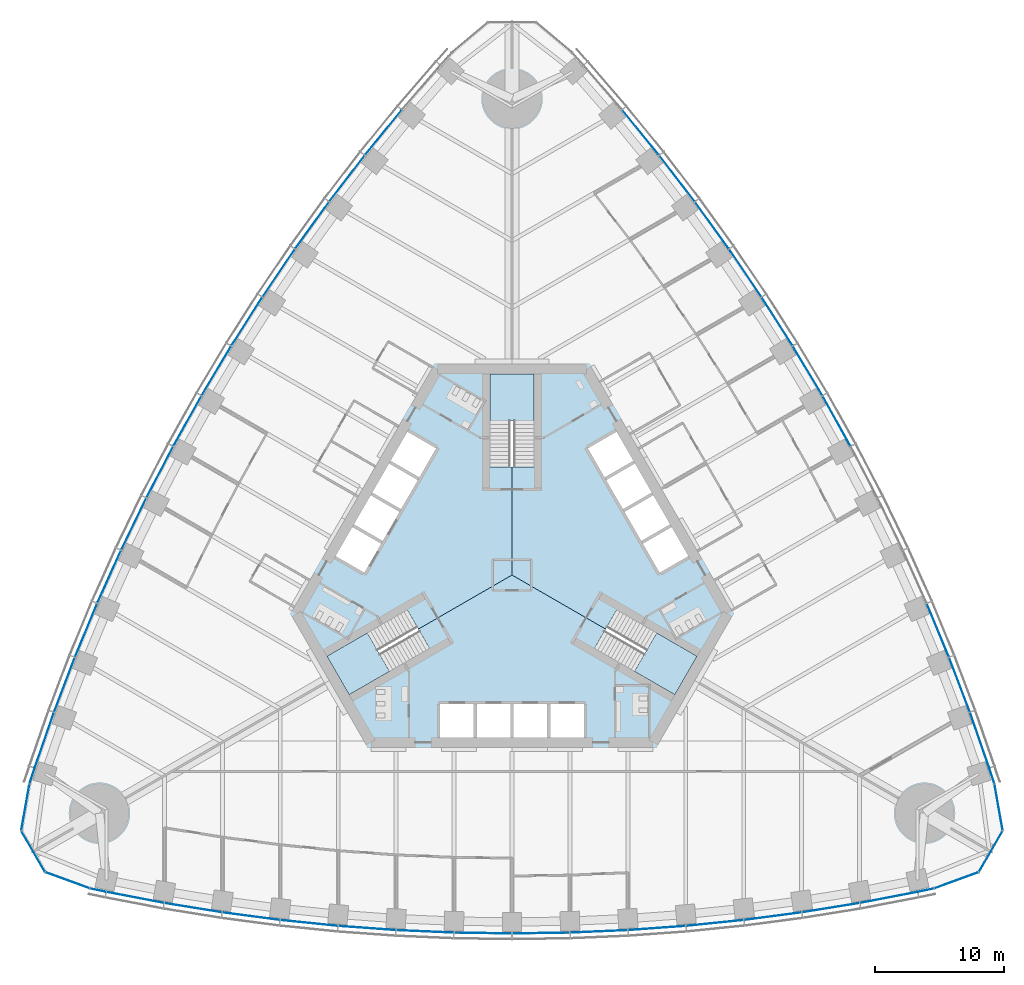
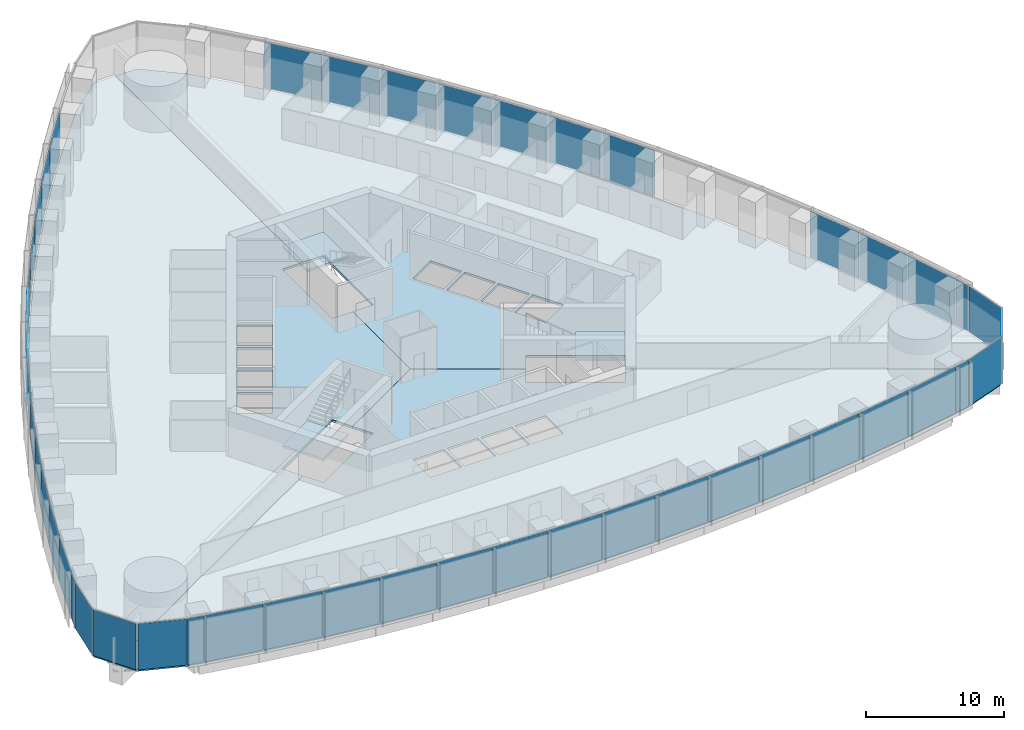
# One storey, part 8 of 18: 47 plates, 6 slabs, 8 elements without a shape of their own.
"""IFC4 building model written with IfcOpenShell, lengths in metres."""

from ifc_helpers import new_model, si_unit, direction, frame, origin, origin_2d, place, context, subcontext, project, spatial, polyline, rectangle, outline, extrude, material, layer, layer_set, type_object, element, aggregate, save


model = new_model("IFC4")

# Units and contexts
model_context = context("Model", 3, precision=1e-05, world=origin(), true_north=direction((0.0, 1.0)))
body_context = subcontext(model_context, "Body", "Model", "MODEL_VIEW")
ifc_project = project(units=[si_unit("LENGTHUNIT", "METRE"), si_unit("AREAUNIT", "SQUARE_METRE"), si_unit("VOLUMEUNIT", "CUBIC_METRE"), si_unit("PLANEANGLEUNIT", "RADIAN"), si_unit("MASSUNIT", "GRAM", prefix="KILO")], contexts=[model_context])

# Site, building, storey
site_placement = place(None, origin())
site = spatial("IfcSite", under=ifc_project, at=site_placement, CompositionType="ELEMENT")
building_placement = place(site_placement, origin())
building = spatial("IfcBuilding", under=site, at=building_placement, Name="Trefoil Bronze Tower", CompositionType="ELEMENT")
storey_placement = place(building_placement, frame((0.0, 0.0, 33.300048828125)))
storey = spatial("IfcBuildingStorey", under=building, at=storey_placement, Name="L07", CompositionType="ELEMENT", Elevation=33.300048828125)

# Curtain wall, plates
ifc_material_1 = material(Name="Tinted solar-control glass", Category="glass")
curtain_wall_type_1 = type_object("IfcCurtainWallType", Name="Bronze office curtain wall", PredefinedType="USERDEFINED", material=ifc_material_1)
curtain_wall_1_placement = place(storey_placement, origin())
curtain_wall_1 = element("IfcCurtainWall", 1, at=curtain_wall_1_placement, inside=storey, type_object=curtain_wall_type_1, Name="CW-A L07 F1", ObjectType="CURTAIN WALL", PredefinedType="USERDEFINED")
ifc_material_2 = material(Name="Tinted solar-control glass", Category="glass")
ifc_layer_1 = layer(ifc_material_2, 0.030029296875)
ifc_layer_set_1 = layer_set([ifc_layer_1], Name="Bronze office curtain wall glass panel")
plate_type_1 = type_object("IfcPlateType", Name="Bronze office curtain wall glass panel", PredefinedType="CURTAIN_PANEL", material=ifc_layer_set_1)
plate_1_placement = place(storey_placement, frame((-32.15185546875, -24.480224609375, 0.0), z_axis=(0.0, 0.0, 1.0), x_axis=(0.978302717041, -0.207180582657, 0.0)))
plate_1 = element("IfcPlate", 2, at=plate_1_placement, type_object=plate_type_1, Name="CW-A L07 F1 panel 1", PredefinedType="CURTAIN_PANEL", context=body_context, shape_type="SweptSolid", body=[
    extrude(rectangle(XDim=1.21044921875, YDim=0.030029296875, at=origin_2d()), origin(), (0.0, 0.0, 1.0), 4.080078125),
])
plate_2_placement = place(storey_placement, frame((-29.268798828125, -25.04638671875, 0.0), z_axis=(0.0, 0.0, 1.0), x_axis=(0.982049823817, -0.188621694249, 0.0)))
plate_2 = element("IfcPlate", 3, at=plate_2_placement, type_object=plate_type_1, Name="CW-A L07 F1 panel 2", PredefinedType="CURTAIN_PANEL", context=body_context, shape_type="SweptSolid", body=[
    extrude(rectangle(XDim=4.502197265625, YDim=0.030029296875, at=origin_2d()), origin(), (0.0, 0.0, 1.0), 4.080078125),
])
plate_3_placement = place(storey_placement, frame((-24.765869140625, -25.8427734375, 0.0), z_axis=(0.0, 0.0, 1.0), x_axis=(0.987181315145, -0.159602791421, 0.0)))
plate_3 = element("IfcPlate", 4, at=plate_3_placement, type_object=plate_type_1, Name="CW-A L07 F1 panel 3", PredefinedType="CURTAIN_PANEL", context=body_context, shape_type="SweptSolid", body=[
    extrude(rectangle(XDim=4.478515625, YDim=0.030029296875, at=origin_2d()), origin(), (0.0, 0.0, 1.0), 4.080078125),
])
plate_4_placement = place(storey_placement, frame((-20.262939453125, -26.50341796875, 0.0), z_axis=(0.0, 0.0, 1.0), x_axis=(0.991437251591, -0.130583981243, 0.0)))
plate_4 = element("IfcPlate", 5, at=plate_4_placement, type_object=plate_type_1, Name="CW-A L07 F1 panel 4", PredefinedType="CURTAIN_PANEL", context=body_context, shape_type="SweptSolid", body=[
    extrude(rectangle(XDim=4.458984375, YDim=0.030029296875, at=origin_2d()), origin(), (0.0, 0.0, 1.0), 4.080078125),
])
plate_5_placement = place(storey_placement, frame((-15.76025390625, -27.02978515625, 0.0), z_axis=(0.0, 0.0, 1.0), x_axis=(0.994828880293, -0.101565244717, 0.0)))
plate_5 = element("IfcPlate", 6, at=plate_5_placement, type_object=plate_type_1, Name="CW-A L07 F1 panel 5", PredefinedType="CURTAIN_PANEL", context=body_context, shape_type="SweptSolid", body=[
    extrude(rectangle(XDim=4.443359375, YDim=0.030029296875, at=origin_2d()), origin(), (0.0, 0.0, 1.0), 4.080078125),
])
plate_6_placement = place(storey_placement, frame((-11.25732421875, -27.42333984375, 0.0), z_axis=(0.0, 0.0, 1.0), x_axis=(0.99736502647, -0.072546564177, 0.0)))
plate_6 = element("IfcPlate", 7, at=plate_6_placement, type_object=plate_type_1, Name="CW-A L07 F1 panel 6", PredefinedType="CURTAIN_PANEL", context=body_context, shape_type="SweptSolid", body=[
    extrude(rectangle(XDim=4.431884765625, YDim=0.030029296875, at=origin_2d()), origin(), (0.0, 0.0, 1.0), 4.080078125),
])
plate_7_placement = place(storey_placement, frame((-6.75439453125, -27.685302734375, 0.0), z_axis=(0.0, 0.0, 1.0), x_axis=(0.999052210809, -0.043527922969, 0.0)))
plate_7 = element("IfcPlate", 8, at=plate_7_placement, type_object=plate_type_1, Name="CW-A L07 F1 panel 7", PredefinedType="CURTAIN_PANEL", context=body_context, shape_type="SweptSolid", body=[
    extrude(rectangle(XDim=4.42431640625, YDim=0.030029296875, at=origin_2d()), origin(), (0.0, 0.0, 1.0), 4.080078125),
])
plate_8_placement = place(storey_placement, frame((-2.25146484375, -27.816162109375, 0.0), z_axis=(0.0, 0.0, 1.0), x_axis=(0.999894734493, -0.014509305083, 0.0)))
plate_8 = element("IfcPlate", 9, at=plate_8_placement, type_object=plate_type_1, Name="CW-A L07 F1 panel 8", PredefinedType="CURTAIN_PANEL", context=body_context, shape_type="SweptSolid", body=[
    extrude(rectangle(XDim=4.42041015625, YDim=0.030029296875, at=origin_2d()), origin(), (0.0, 0.0, 1.0), 4.080078125),
])
plate_9_placement = place(storey_placement, frame((2.25146484375, -27.816162109375, 0.0), z_axis=(0.0, 0.0, 1.0), x_axis=(0.999894734493, 0.014509305083, 0.0)))
plate_9 = element("IfcPlate", 10, at=plate_9_placement, type_object=plate_type_1, Name="CW-A L07 F1 panel 9", PredefinedType="CURTAIN_PANEL", context=body_context, shape_type="SweptSolid", body=[
    extrude(rectangle(XDim=4.42041015625, YDim=0.030029296875, at=origin_2d()), origin(), (0.0, 0.0, 1.0), 4.080078125),
])
plate_10_placement = place(storey_placement, frame((6.75439453125, -27.685302734375, 0.0), z_axis=(0.0, 0.0, 1.0), x_axis=(0.999052210809, 0.043527922969, 0.0)))
plate_10 = element("IfcPlate", 11, at=plate_10_placement, type_object=plate_type_1, Name="CW-A L07 F1 panel 10", PredefinedType="CURTAIN_PANEL", context=body_context, shape_type="SweptSolid", body=[
    extrude(rectangle(XDim=4.42431640625, YDim=0.030029296875, at=origin_2d()), origin(), (0.0, 0.0, 1.0), 4.080078125),
])
plate_11_placement = place(storey_placement, frame((11.25732421875, -27.42333984375, 0.0), z_axis=(0.0, 0.0, 1.0), x_axis=(0.99736502647, 0.072546564177, 0.0)))
plate_11 = element("IfcPlate", 12, at=plate_11_placement, type_object=plate_type_1, Name="CW-A L07 F1 panel 11", PredefinedType="CURTAIN_PANEL", context=body_context, shape_type="SweptSolid", body=[
    extrude(rectangle(XDim=4.431884765625, YDim=0.030029296875, at=origin_2d()), origin(), (0.0, 0.0, 1.0), 4.080078125),
])
plate_12_placement = place(storey_placement, frame((15.76025390625, -27.02978515625, 0.0), z_axis=(0.0, 0.0, 1.0), x_axis=(0.994828880293, 0.101565244717, 0.0)))
plate_12 = element("IfcPlate", 13, at=plate_12_placement, type_object=plate_type_1, Name="CW-A L07 F1 panel 12", PredefinedType="CURTAIN_PANEL", context=body_context, shape_type="SweptSolid", body=[
    extrude(rectangle(XDim=4.443359375, YDim=0.030029296875, at=origin_2d()), origin(), (0.0, 0.0, 1.0), 4.080078125),
])
plate_13_placement = place(storey_placement, frame((20.262939453125, -26.50341796875, 0.0), z_axis=(0.0, 0.0, 1.0), x_axis=(0.991437251591, 0.130583981243, 0.0)))
plate_13 = element("IfcPlate", 14, at=plate_13_placement, type_object=plate_type_1, Name="CW-A L07 F1 panel 13", PredefinedType="CURTAIN_PANEL", context=body_context, shape_type="SweptSolid", body=[
    extrude(rectangle(XDim=4.458984375, YDim=0.030029296875, at=origin_2d()), origin(), (0.0, 0.0, 1.0), 4.080078125),
])
plate_14_placement = place(storey_placement, frame((24.765869140625, -25.8427734375, 0.0), z_axis=(0.0, 0.0, 1.0), x_axis=(0.987181315145, 0.159602791421, 0.0)))
plate_14 = element("IfcPlate", 15, at=plate_14_placement, type_object=plate_type_1, Name="CW-A L07 F1 panel 14", PredefinedType="CURTAIN_PANEL", context=body_context, shape_type="SweptSolid", body=[
    extrude(rectangle(XDim=4.478515625, YDim=0.030029296875, at=origin_2d()), origin(), (0.0, 0.0, 1.0), 4.080078125),
])
plate_15_placement = place(storey_placement, frame((29.268798828125, -25.04638671875, 0.0), z_axis=(0.0, 0.0, 1.0), x_axis=(0.982049823817, 0.188621694249, 0.0)))
plate_15 = element("IfcPlate", 16, at=plate_15_placement, type_object=plate_type_1, Name="CW-A L07 F1 panel 15", PredefinedType="CURTAIN_PANEL", context=body_context, shape_type="SweptSolid", body=[
    extrude(rectangle(XDim=4.502197265625, YDim=0.030029296875, at=origin_2d()), origin(), (0.0, 0.0, 1.0), 4.080078125),
])
plate_16_placement = place(storey_placement, frame((32.15185546875, -24.480224609375, 0.0), z_axis=(0.0, 0.0, 1.0), x_axis=(0.978302717041, 0.207180582657, 0.0)))
plate_16 = element("IfcPlate", 17, at=plate_16_placement, type_object=plate_type_1, Name="CW-A L07 F1 panel 16", PredefinedType="CURTAIN_PANEL", context=body_context, shape_type="SweptSolid", body=[
    extrude(rectangle(XDim=1.21044921875, YDim=0.030029296875, at=origin_2d()), origin(), (0.0, 0.0, 1.0), 4.080078125),
])
aggregate(curtain_wall_1, [plate_1, plate_2, plate_3, plate_4, plate_5, plate_6, plate_7, plate_8, plate_9, plate_10, plate_11, plate_12, plate_13, plate_14, plate_15, plate_16])

curtain_wall_2_placement = place(storey_placement, origin())
curtain_wall_2 = element("IfcCurtainWall", 18, at=curtain_wall_2_placement, inside=storey, type_object=curtain_wall_type_1, Name="CW-A L07 F2", ObjectType="CURTAIN WALL", PredefinedType="USERDEFINED")
plate_17_placement = place(storey_placement, frame((37.2763671875, -15.604248046875, 0.0), z_axis=(0.0, 0.0, 1.0), x_axis=(-0.309727710769, 0.950825296877, 0.0)))
plate_17 = element("IfcPlate", 19, at=plate_17_placement, type_object=plate_type_1, Name="CW-A L07 F2 panel 1", PredefinedType="CURTAIN_PANEL", context=body_context, shape_type="SweptSolid", body=[
    extrude(rectangle(XDim=1.21044921875, YDim=0.030029296875, at=origin_2d()), origin(), (0.0, 0.0, 1.0), 4.080078125),
])
plate_18_placement = place(storey_placement, frame((36.3251953125, -12.824462890625, 0.0), z_axis=(0.0, 0.0, 1.0), x_axis=(-0.327673732984, 0.944790942332, 0.0)))
plate_18 = element("IfcPlate", 20, at=plate_18_placement, type_object=plate_type_1, Name="CW-A L07 F2 panel 2", PredefinedType="CURTAIN_PANEL", context=body_context, shape_type="SweptSolid", body=[
    extrude(rectangle(XDim=4.502197265625, YDim=0.030029296875, at=origin_2d()), origin(), (0.0, 0.0, 1.0), 4.080078125),
])
plate_19_placement = place(storey_placement, frame((34.763427734375, -8.526611328125, 0.0), z_axis=(0.0, 0.0, 1.0), x_axis=(-0.355370585687, 0.934725492767, 0.0)))
plate_19 = element("IfcPlate", 21, at=plate_19_placement, type_object=plate_type_1, Name="CW-A L07 F2 panel 3", PredefinedType="CURTAIN_PANEL", context=body_context, shape_type="SweptSolid", body=[
    extrude(rectangle(XDim=4.478515625, YDim=0.030029296875, at=origin_2d()), origin(), (0.0, 0.0, 1.0), 4.080078125),
])
plate_20_placement = place(storey_placement, frame((33.084228515625, -4.296630859375, 0.0), z_axis=(0.0, 0.0, 1.0), x_axis=(-0.382629580712, 0.923901836758, 0.0)))
plate_20 = element("IfcPlate", 22, at=plate_20_placement, type_object=plate_type_1, Name="CW-A L07 F2 panel 4", PredefinedType="CURTAIN_PANEL", context=body_context, shape_type="SweptSolid", body=[
    extrude(rectangle(XDim=4.458984375, YDim=0.030029296875, at=origin_2d()), origin(), (0.0, 0.0, 1.0), 4.080078125),
])
plate_21_placement = place(storey_placement, frame((25.215087890625, 11.958251953125, 0.0), z_axis=(0.0, 0.0, 1.0), x_axis=(-0.487381940453, 0.873188893722, 0.0)))
plate_21 = element("IfcPlate", 23, at=plate_21_placement, type_object=plate_type_1, Name="CW-A L07 F2 panel 8", PredefinedType="CURTAIN_PANEL", context=body_context, shape_type="SweptSolid", body=[
    extrude(rectangle(XDim=4.42041015625, YDim=0.030029296875, at=origin_2d()), origin(), (0.0, 0.0, 1.0), 4.080078125),
])
plate_22_placement = place(storey_placement, frame((22.963623046875, 15.85791015625, 0.0), z_axis=(0.0, 0.0, 1.0), x_axis=(-0.51251279404, 0.858679588639, 0.0)))
plate_22 = element("IfcPlate", 24, at=plate_22_placement, type_object=plate_type_1, Name="CW-A L07 F2 panel 9", PredefinedType="CURTAIN_PANEL", context=body_context, shape_type="SweptSolid", body=[
    extrude(rectangle(XDim=4.42041015625, YDim=0.030029296875, at=origin_2d()), origin(), (0.0, 0.0, 1.0), 4.080078125),
])
plate_23_placement = place(storey_placement, frame((20.598876953125, 19.692138671875, 0.0), z_axis=(0.0, 0.0, 1.0), x_axis=(-0.537222392469, 0.843440632783, 0.0)))
plate_23 = element("IfcPlate", 25, at=plate_23_placement, type_object=plate_type_1, Name="CW-A L07 F2 panel 10", PredefinedType="CURTAIN_PANEL", context=body_context, shape_type="SweptSolid", body=[
    extrude(rectangle(XDim=4.42431640625, YDim=0.030029296875, at=origin_2d()), origin(), (0.0, 0.0, 1.0), 4.080078125),
])
plate_24_placement = place(storey_placement, frame((18.120849609375, 23.460693359375, 0.0), z_axis=(0.0, 0.0, 1.0), x_axis=(-0.56150968077, 0.827470167681, 0.0)))
plate_24 = element("IfcPlate", 26, at=plate_24_placement, type_object=plate_type_1, Name="CW-A L07 F2 panel 11", PredefinedType="CURTAIN_PANEL", context=body_context, shape_type="SweptSolid", body=[
    extrude(rectangle(XDim=4.431884765625, YDim=0.030029296875, at=origin_2d()), origin(), (0.0, 0.0, 1.0), 4.080078125),
])
plate_25_placement = place(storey_placement, frame((15.5283203125, 27.16357421875, 0.0), z_axis=(0.0, 0.0, 1.0), x_axis=(-0.585372522213, 0.810764460394, 0.0)))
plate_25 = element("IfcPlate", 27, at=plate_25_placement, type_object=plate_type_1, Name="CW-A L07 F2 panel 12", PredefinedType="CURTAIN_PANEL", context=body_context, shape_type="SweptSolid", body=[
    extrude(rectangle(XDim=4.443359375, YDim=0.030029296875, at=origin_2d()), origin(), (0.0, 0.0, 1.0), 4.080078125),
])
plate_26_placement = place(storey_placement, frame((12.821044921875, 30.800048828125, 0.0), z_axis=(0.0, 0.0, 1.0), x_axis=(-0.608807670879, 0.793317855515, 0.0)))
plate_26 = element("IfcPlate", 28, at=plate_26_placement, type_object=plate_type_1, Name="CW-A L07 F2 panel 13", PredefinedType="CURTAIN_PANEL", context=body_context, shape_type="SweptSolid", body=[
    extrude(rectangle(XDim=4.458984375, YDim=0.030029296875, at=origin_2d()), origin(), (0.0, 0.0, 1.0), 4.080078125),
])
plate_27_placement = place(storey_placement, frame((9.99755859375, 34.369384765625, 0.0), z_axis=(0.0, 0.0, 1.0), x_axis=(-0.631810729457, 0.775122701346, 0.0)))
plate_27 = element("IfcPlate", 29, at=plate_27_placement, type_object=plate_type_1, Name="CW-A L07 F2 panel 14", PredefinedType="CURTAIN_PANEL", context=body_context, shape_type="SweptSolid", body=[
    extrude(rectangle(XDim=4.478515625, YDim=0.030029296875, at=origin_2d()), origin(), (0.0, 0.0, 1.0), 4.080078125),
])
aggregate(curtain_wall_2, [plate_17, plate_18, plate_19, plate_20, plate_21, plate_22, plate_23, plate_24, plate_25, plate_26, plate_27])

curtain_wall_3_placement = place(storey_placement, origin())
curtain_wall_3 = element("IfcCurtainWall", 30, at=curtain_wall_3_placement, inside=storey, type_object=curtain_wall_type_1, Name="CW-A L07 F3", ObjectType="CURTAIN WALL", PredefinedType="USERDEFINED")
plate_28_placement = place(storey_placement, frame((-9.99755859375, 34.369384765625, 0.0), z_axis=(0.0, 0.0, 1.0), x_axis=(-0.631810729457, -0.775122701346, 0.0)))
plate_28 = element("IfcPlate", 31, at=plate_28_placement, type_object=plate_type_1, Name="CW-A L07 F3 panel 3", PredefinedType="CURTAIN_PANEL", context=body_context, shape_type="SweptSolid", body=[
    extrude(rectangle(XDim=4.478515625, YDim=0.030029296875, at=origin_2d()), origin(), (0.0, 0.0, 1.0), 4.080078125),
])
plate_29_placement = place(storey_placement, frame((-12.821044921875, 30.800048828125, 0.0), z_axis=(0.0, 0.0, 1.0), x_axis=(-0.608807670879, -0.793317855515, 0.0)))
plate_29 = element("IfcPlate", 32, at=plate_29_placement, type_object=plate_type_1, Name="CW-A L07 F3 panel 4", PredefinedType="CURTAIN_PANEL", context=body_context, shape_type="SweptSolid", body=[
    extrude(rectangle(XDim=4.458984375, YDim=0.030029296875, at=origin_2d()), origin(), (0.0, 0.0, 1.0), 4.080078125),
])
plate_30_placement = place(storey_placement, frame((-15.5283203125, 27.16357421875, 0.0), z_axis=(0.0, 0.0, 1.0), x_axis=(-0.585372522213, -0.810764460394, 0.0)))
plate_30 = element("IfcPlate", 33, at=plate_30_placement, type_object=plate_type_1, Name="CW-A L07 F3 panel 5", PredefinedType="CURTAIN_PANEL", context=body_context, shape_type="SweptSolid", body=[
    extrude(rectangle(XDim=4.443359375, YDim=0.030029296875, at=origin_2d()), origin(), (0.0, 0.0, 1.0), 4.080078125),
])
plate_31_placement = place(storey_placement, frame((-18.120849609375, 23.460693359375, 0.0), z_axis=(0.0, 0.0, 1.0), x_axis=(-0.56150968077, -0.827470167681, 0.0)))
plate_31 = element("IfcPlate", 34, at=plate_31_placement, type_object=plate_type_1, Name="CW-A L07 F3 panel 6", PredefinedType="CURTAIN_PANEL", context=body_context, shape_type="SweptSolid", body=[
    extrude(rectangle(XDim=4.431884765625, YDim=0.030029296875, at=origin_2d()), origin(), (0.0, 0.0, 1.0), 4.080078125),
])
plate_32_placement = place(storey_placement, frame((-20.598876953125, 19.692138671875, 0.0), z_axis=(0.0, 0.0, 1.0), x_axis=(-0.537222392469, -0.843440632783, 0.0)))
plate_32 = element("IfcPlate", 35, at=plate_32_placement, type_object=plate_type_1, Name="CW-A L07 F3 panel 7", PredefinedType="CURTAIN_PANEL", context=body_context, shape_type="SweptSolid", body=[
    extrude(rectangle(XDim=4.42431640625, YDim=0.030029296875, at=origin_2d()), origin(), (0.0, 0.0, 1.0), 4.080078125),
])
plate_33_placement = place(storey_placement, frame((-22.963623046875, 15.85791015625, 0.0), z_axis=(0.0, 0.0, 1.0), x_axis=(-0.51251279404, -0.858679588639, 0.0)))
plate_33 = element("IfcPlate", 36, at=plate_33_placement, type_object=plate_type_1, Name="CW-A L07 F3 panel 8", PredefinedType="CURTAIN_PANEL", context=body_context, shape_type="SweptSolid", body=[
    extrude(rectangle(XDim=4.42041015625, YDim=0.030029296875, at=origin_2d()), origin(), (0.0, 0.0, 1.0), 4.080078125),
])
plate_34_placement = place(storey_placement, frame((-25.215087890625, 11.958251953125, 0.0), z_axis=(0.0, 0.0, 1.0), x_axis=(-0.487381940453, -0.873188893722, 0.0)))
plate_34 = element("IfcPlate", 37, at=plate_34_placement, type_object=plate_type_1, Name="CW-A L07 F3 panel 9", PredefinedType="CURTAIN_PANEL", context=body_context, shape_type="SweptSolid", body=[
    extrude(rectangle(XDim=4.42041015625, YDim=0.030029296875, at=origin_2d()), origin(), (0.0, 0.0, 1.0), 4.080078125),
])
plate_35_placement = place(storey_placement, frame((-27.353271484375, 7.9931640625, 0.0), z_axis=(0.0, 0.0, 1.0), x_axis=(-0.46182981834, -0.886968555752, 0.0)))
plate_35 = element("IfcPlate", 38, at=plate_35_placement, type_object=plate_type_1, Name="CW-A L07 F3 panel 10", PredefinedType="CURTAIN_PANEL", context=body_context, shape_type="SweptSolid", body=[
    extrude(rectangle(XDim=4.42431640625, YDim=0.030029296875, at=origin_2d()), origin(), (0.0, 0.0, 1.0), 4.080078125),
])
plate_36_placement = place(storey_placement, frame((-29.3779296875, 3.962646484375, 0.0), z_axis=(0.0, 0.0, 1.0), x_axis=(-0.4358553457, -0.900016731858, 0.0)))
plate_36 = element("IfcPlate", 39, at=plate_36_placement, type_object=plate_type_1, Name="CW-A L07 F3 panel 11", PredefinedType="CURTAIN_PANEL", context=body_context, shape_type="SweptSolid", body=[
    extrude(rectangle(XDim=4.431884765625, YDim=0.030029296875, at=origin_2d()), origin(), (0.0, 0.0, 1.0), 4.080078125),
])
plate_37_placement = place(storey_placement, frame((-31.28857421875, -0.1337890625, 0.0), z_axis=(0.0, 0.0, 1.0), x_axis=(-0.40945635808, -0.912329705111, 0.0)))
plate_37 = element("IfcPlate", 40, at=plate_37_placement, type_object=plate_type_1, Name="CW-A L07 F3 panel 12", PredefinedType="CURTAIN_PANEL", context=body_context, shape_type="SweptSolid", body=[
    extrude(rectangle(XDim=4.443359375, YDim=0.030029296875, at=origin_2d()), origin(), (0.0, 0.0, 1.0), 4.080078125),
])
plate_38_placement = place(storey_placement, frame((-33.084228515625, -4.296630859375, 0.0), z_axis=(0.0, 0.0, 1.0), x_axis=(-0.382629580712, -0.923901836758, 0.0)))
plate_38 = element("IfcPlate", 41, at=plate_38_placement, type_object=plate_type_1, Name="CW-A L07 F3 panel 13", PredefinedType="CURTAIN_PANEL", context=body_context, shape_type="SweptSolid", body=[
    extrude(rectangle(XDim=4.458984375, YDim=0.030029296875, at=origin_2d()), origin(), (0.0, 0.0, 1.0), 4.080078125),
])
plate_39_placement = place(storey_placement, frame((-34.763427734375, -8.526611328125, 0.0), z_axis=(0.0, 0.0, 1.0), x_axis=(-0.355370585687, -0.934725492767, 0.0)))
plate_39 = element("IfcPlate", 42, at=plate_39_placement, type_object=plate_type_1, Name="CW-A L07 F3 panel 14", PredefinedType="CURTAIN_PANEL", context=body_context, shape_type="SweptSolid", body=[
    extrude(rectangle(XDim=4.478515625, YDim=0.030029296875, at=origin_2d()), origin(), (0.0, 0.0, 1.0), 4.080078125),
])
plate_40_placement = place(storey_placement, frame((-36.3251953125, -12.824462890625, 0.0), z_axis=(0.0, 0.0, 1.0), x_axis=(-0.327673732984, -0.944790942332, 0.0)))
plate_40 = element("IfcPlate", 43, at=plate_40_placement, type_object=plate_type_1, Name="CW-A L07 F3 panel 15", PredefinedType="CURTAIN_PANEL", context=body_context, shape_type="SweptSolid", body=[
    extrude(rectangle(XDim=4.502197265625, YDim=0.030029296875, at=origin_2d()), origin(), (0.0, 0.0, 1.0), 4.080078125),
])
plate_41_placement = place(storey_placement, frame((-37.2763671875, -15.604248046875, 0.0), z_axis=(0.0, 0.0, 1.0), x_axis=(-0.309727710769, -0.950825296877, 0.0)))
plate_41 = element("IfcPlate", 44, at=plate_41_placement, type_object=plate_type_1, Name="CW-A L07 F3 panel 16", PredefinedType="CURTAIN_PANEL", context=body_context, shape_type="SweptSolid", body=[
    extrude(rectangle(XDim=1.21044921875, YDim=0.030029296875, at=origin_2d()), origin(), (0.0, 0.0, 1.0), 4.080078125),
])
aggregate(curtain_wall_3, [plate_28, plate_29, plate_30, plate_31, plate_32, plate_33, plate_34, plate_35, plate_36, plate_37, plate_38, plate_39, plate_40, plate_41])

ifc_material_3 = material(Name="Tinted solar-control glass", Category="glass")
curtain_wall_type_2 = type_object("IfcCurtainWallType", Name="Bronze rounded corner curtain wall", PredefinedType="USERDEFINED", material=ifc_material_3)
curtain_wall_4_placement = place(storey_placement, origin())
curtain_wall_4 = element("IfcCurtainWall", 45, at=curtain_wall_4_placement, inside=storey, type_object=curtain_wall_type_2, Name="CW-B L07 K1", ObjectType="CURTAIN WALL", PredefinedType="USERDEFINED")
ifc_material_4 = material(Name="Tinted solar-control glass", Category="glass")
ifc_layer_2 = layer(ifc_material_4, 0.030029296875)
ifc_layer_set_2 = layer_set([ifc_layer_2], Name="Bronze rounded corner curtain wall glass panel")
plate_type_2 = type_object("IfcPlateType", Name="Bronze rounded corner curtain wall glass panel", PredefinedType="CURTAIN_PANEL", material=ifc_layer_set_2)
plate_42_placement = place(storey_placement, frame((34.5107421875, -23.71875, 0.0), z_axis=(0.0, 0.0, 1.0), x_axis=(0.939692620786, 0.342020143326, 0.0)))
plate_42 = element("IfcPlate", 46, at=plate_42_placement, type_object=plate_type_2, Name="CW-B L07 K1 panel 1", PredefinedType="CURTAIN_PANEL", context=body_context, shape_type="SweptSolid", body=[
    extrude(rectangle(XDim=3.588134765625, YDim=0.030029296875, at=origin_2d()), origin(), (0.0, 0.0, 1.0), 4.080078125),
])
plate_43_placement = place(storey_placement, frame((37.189208984375, -21.47119140625, 0.0), z_axis=(0.0, 0.0, 1.0), x_axis=(0.5, 0.866025403784, 0.0)))
plate_43 = element("IfcPlate", 47, at=plate_43_placement, type_object=plate_type_2, Name="CW-B L07 K1 panel 2", PredefinedType="CURTAIN_PANEL", context=body_context, shape_type="SweptSolid", body=[
    extrude(rectangle(XDim=3.588134765625, YDim=0.030029296875, at=origin_2d()), origin(), (0.0, 0.0, 1.0), 4.080078125),
])
plate_44_placement = place(storey_placement, frame((37.79638671875, -18.02783203125, 0.0), z_axis=(0.0, 0.0, 1.0), x_axis=(-0.173648177667, 0.984807753012, 0.0)))
plate_44 = element("IfcPlate", 48, at=plate_44_placement, type_object=plate_type_2, Name="CW-B L07 K1 panel 3", PredefinedType="CURTAIN_PANEL", context=body_context, shape_type="SweptSolid", body=[
    extrude(rectangle(XDim=3.588134765625, YDim=0.030029296875, at=origin_2d()), origin(), (0.0, 0.0, 1.0), 4.080078125),
])
aggregate(curtain_wall_4, [plate_42, plate_43, plate_44])

curtain_wall_5_placement = place(storey_placement, origin())
curtain_wall_5 = element("IfcCurtainWall", 49, at=curtain_wall_5_placement, inside=storey, type_object=curtain_wall_type_2, Name="CW-B L07 K3", ObjectType="CURTAIN WALL", PredefinedType="USERDEFINED")
plate_45_placement = place(storey_placement, frame((-37.79638671875, -18.02783203125, 0.0), z_axis=(0.0, 0.0, 1.0), x_axis=(-0.173648177667, -0.984807753012, 0.0)))
plate_45 = element("IfcPlate", 50, at=plate_45_placement, type_object=plate_type_2, Name="CW-B L07 K3 panel 1", PredefinedType="CURTAIN_PANEL", context=body_context, shape_type="SweptSolid", body=[
    extrude(rectangle(XDim=3.588134765625, YDim=0.030029296875, at=origin_2d()), origin(), (0.0, 0.0, 1.0), 4.080078125),
])
plate_46_placement = place(storey_placement, frame((-37.189208984375, -21.47119140625, 0.0), z_axis=(0.0, 0.0, 1.0), x_axis=(0.5, -0.866025403784, 0.0)))
plate_46 = element("IfcPlate", 51, at=plate_46_placement, type_object=plate_type_2, Name="CW-B L07 K3 panel 2", PredefinedType="CURTAIN_PANEL", context=body_context, shape_type="SweptSolid", body=[
    extrude(rectangle(XDim=3.588134765625, YDim=0.030029296875, at=origin_2d()), origin(), (0.0, 0.0, 1.0), 4.080078125),
])
plate_47_placement = place(storey_placement, frame((-34.5107421875, -23.71875, 0.0), z_axis=(0.0, 0.0, 1.0), x_axis=(0.939692620786, -0.342020143326, 0.0)))
plate_47 = element("IfcPlate", 52, at=plate_47_placement, type_object=plate_type_2, Name="CW-B L07 K3 panel 3", PredefinedType="CURTAIN_PANEL", context=body_context, shape_type="SweptSolid", body=[
    extrude(rectangle(XDim=3.588134765625, YDim=0.030029296875, at=origin_2d()), origin(), (0.0, 0.0, 1.0), 4.080078125),
])
aggregate(curtain_wall_5, [plate_45, plate_46, plate_47])

# Slabs
ifc_material_5 = material(Name="Concrete B30", Category="concrete")
ifc_layer_3 = layer(ifc_material_5, 0.199951171875)
ifc_layer_set_3 = layer_set([ifc_layer_3], Name="Floor slab 200")
slab_type_1 = type_object("IfcSlabType", Name="Floor slab 200", PredefinedType="FLOOR", material=ifc_layer_set_3)
slab_1_placement = place(storey_placement, frame((0.0, 0.0, -0.199951171875)))
element("IfcSlab", 53, at=slab_1_placement, inside=storey, type_object=slab_type_1, Name="Floor slab L07 face 1", PredefinedType="FLOOR", context=body_context, shape_type="SweptSolid", body=[
    extrude(outline(polyline([(27.0, -25.38037109375), (22.5, -26.10791015625), (18.0, -26.70068359375), (13.5, -27.159912109375), (9.0, -27.4873046875), (4.5, -27.683349609375), (0.0, -27.748779296875), (-4.5, -27.683349609375), (-9.0, -27.4873046875), (-13.5, -27.159912109375), (-18.0, -26.70068359375), (-22.5, -26.10791015625), (-27.0, -25.38037109375), (-31.5, -24.51611328125), (-32.762451171875, -24.248779296875), (-36.190673828125, -23.0009765625), (-37.1025390625, -21.421142578125), (-13.510009765625, -7.800048828125), (-12.6474609375, -9.2939453125), (-6.412109375, -5.69384765625), (-7.274658203125, -4.199951171875), (0.0, 0.0), (7.274658203125, -4.199951171875), (6.412109375, -5.69384765625), (12.6474609375, -9.2939453125), (13.510009765625, -7.800048828125), (37.1025390625, -21.421142578125), (36.190673828125, -23.0009765625), (32.762451171875, -24.248779296875), (31.5, -24.51611328125), (27.0, -25.38037109375)]), holes=[polyline([(-5.574951171875, -10.02490234375), (-2.97509765625, -10.02490234375), (-2.97509765625, -12.60009765625), (-5.574951171875, -12.60009765625), (-5.574951171875, -10.02490234375)]), polyline([(-2.72509765625, -10.02490234375), (-0.125, -10.02490234375), (-0.125, -12.60009765625), (-2.72509765625, -12.60009765625), (-2.72509765625, -10.02490234375)]), polyline([(0.125, -10.02490234375), (2.72509765625, -10.02490234375), (2.72509765625, -12.60009765625), (0.125, -12.60009765625), (0.125, -10.02490234375)]), polyline([(2.97509765625, -10.02490234375), (5.574951171875, -10.02490234375), (5.574951171875, -12.60009765625), (2.97509765625, -12.60009765625), (2.97509765625, -10.02490234375)])]), origin(), (0.0, 0.0, 1.0), 0.199951171875),
])
slab_2_placement = place(storey_placement, frame((0.0, 0.0, -0.199951171875)))
element("IfcSlab", 54, at=slab_2_placement, inside=storey, type_object=slab_type_1, Name="Floor slab L07 face 2", PredefinedType="FLOOR", context=body_context, shape_type="SweptSolid", body=[
    extrude(outline(polyline([(8.47998046875, 36.07275390625), (11.360107421875, 32.53955078125), (14.123291015625, 28.938720703125), (16.771240234375, 25.271240234375), (19.3046875, 21.537841796875), (21.724609375, 17.73876953125), (24.031005859375, 13.874267578125), (26.224609375, 9.944580078125), (28.3046875, 5.949462890625), (30.271240234375, 1.888671875), (32.123291015625, -2.238037109375), (33.860107421875, -6.431640625), (35.47998046875, -10.6923828125), (36.9814453125, -15.021728515625), (37.381103515625, -16.248779296875), (38.0146484375, -19.841552734375), (37.1025390625, -21.421142578125), (13.510009765625, -7.800048828125), (14.37255859375, -6.30615234375), (8.13720703125, -2.7060546875), (7.274658203125, -4.199951171875), (0.0, 0.0), (0.0, 8.39990234375), (1.72509765625, 8.39990234375), (1.72509765625, 15.60009765625), (0.0, 15.60009765625), (0.0, 42.842529296875), (1.82421875, 42.842529296875), (4.618896484375, 40.497314453125), (5.4814453125, 39.537841796875), (8.47998046875, 36.07275390625)]), holes=[polyline([(11.469482421875, 0.184326171875), (10.16943359375, 2.43603515625), (12.3994140625, 3.7236328125), (13.699462890625, 1.471923828125), (11.469482421875, 0.184326171875)]), polyline([(10.04443359375, 2.652587890625), (8.744384765625, 4.904296875), (10.974365234375, 6.191650390625), (12.2744140625, 3.940185546875), (10.04443359375, 2.652587890625)]), polyline([(8.619384765625, 5.120849609375), (7.3193359375, 7.372314453125), (9.54931640625, 8.659912109375), (10.849365234375, 6.408203125), (8.619384765625, 5.120849609375)]), polyline([(7.1943359375, 7.5888671875), (5.894287109375, 9.840576171875), (8.12451171875, 11.128173828125), (9.42431640625, 8.87646484375), (7.1943359375, 7.5888671875)])]), origin(), (0.0, 0.0, 1.0), 0.199951171875),
])
slab_3_placement = place(storey_placement, frame((0.0, 0.0, -0.199951171875)))
element("IfcSlab", 55, at=slab_3_placement, inside=storey, type_object=slab_type_1, Name="Floor slab L07 face 3", PredefinedType="FLOOR", context=body_context, shape_type="SweptSolid", body=[
    extrude(outline(polyline([(-35.47998046875, -10.6923828125), (-33.860107421875, -6.431640625), (-32.123291015625, -2.238037109375), (-30.271240234375, 1.888671875), (-28.3046875, 5.949462890625), (-26.224609375, 9.944580078125), (-24.031005859375, 13.874267578125), (-21.724609375, 17.73876953125), (-19.3046875, 21.537841796875), (-16.771240234375, 25.271240234375), (-14.123291015625, 28.938720703125), (-11.360107421875, 32.53955078125), (-8.47998046875, 36.07275390625), (-5.4814453125, 39.537841796875), (-4.618896484375, 40.497314453125), (-1.82421875, 42.842529296875), (0.0, 42.842529296875), (0.0, 15.60009765625), (-1.72509765625, 15.60009765625), (-1.72509765625, 8.39990234375), (0.0, 8.39990234375), (0.0, 0.0), (-7.274658203125, -4.199951171875), (-8.13720703125, -2.7060546875), (-14.37255859375, -6.30615234375), (-13.510009765625, -7.800048828125), (-37.1025390625, -21.421142578125), (-38.0146484375, -19.841552734375), (-37.381103515625, -16.248779296875), (-36.9814453125, -15.021728515625), (-35.47998046875, -10.6923828125)]), holes=[polyline([(-5.894287109375, 9.840576171875), (-7.1943359375, 7.5888671875), (-9.42431640625, 8.87646484375), (-8.12451171875, 11.128173828125), (-5.894287109375, 9.840576171875)]), polyline([(-7.3193359375, 7.372314453125), (-8.619384765625, 5.120849609375), (-10.849365234375, 6.408203125), (-9.54931640625, 8.659912109375), (-7.3193359375, 7.372314453125)]), polyline([(-8.744384765625, 4.904296875), (-10.04443359375, 2.652587890625), (-12.2744140625, 3.940185546875), (-10.974365234375, 6.191650390625), (-8.744384765625, 4.904296875)]), polyline([(-10.16943359375, 2.43603515625), (-11.469482421875, 0.184326171875), (-13.699462890625, 1.471923828125), (-12.3994140625, 3.7236328125), (-10.16943359375, 2.43603515625)])]), origin(), (0.0, 0.0, 1.0), 0.199951171875),
])

# Stair, slab
ifc_material_6 = material(Name="Precast concrete B80", Category="concrete")
stair_type = type_object("IfcStairType", Name="Exit stair 26 risers", PredefinedType="HALF_TURN_STAIR", material=ifc_material_6)
stair_1_placement = place(storey_placement, origin())
stair_1 = element("IfcStair", 56, at=stair_1_placement, inside=storey, type_object=stair_type, Name="Stair ST1 L07", PredefinedType="HALF_TURN_STAIR")
ifc_material_7 = material(Name="Concrete B30", Category="concrete")
ifc_layer_4 = layer(ifc_material_7, 0.199951171875)
ifc_layer_set_4 = layer_set([ifc_layer_4], Name="Stair landing 200")
slab_type_2 = type_object("IfcSlabType", Name="Stair landing 200", PredefinedType="LANDING", material=ifc_layer_set_4)
slab_4_placement = place(storey_placement, frame((0.0, 0.0, 1.89990234375)))
slab_4 = element("IfcSlab", 57, at=slab_4_placement, type_object=slab_type_2, Name="ST1 landing 1", PredefinedType="LANDING", context=body_context, shape_type="SweptSolid", body=[
    extrude(outline(polyline([(9.512451171875, -7.48388671875), (12.6474609375, -9.2939453125), (14.37255859375, -6.30615234375), (11.237548828125, -4.49609375), (9.512451171875, -7.48388671875)])), origin(), (0.0, 0.0, 1.0), 0.199951171875),
])
aggregate(stair_1, [slab_4])

stair_2_placement = place(storey_placement, origin())
stair_2 = element("IfcStair", 58, at=stair_2_placement, inside=storey, type_object=stair_type, Name="Stair ST2 L07", PredefinedType="HALF_TURN_STAIR")
slab_5_placement = place(storey_placement, frame((0.0, 0.0, 1.89990234375)))
slab_5 = element("IfcSlab", 59, at=slab_5_placement, type_object=slab_type_2, Name="ST2 landing 1", PredefinedType="LANDING", context=body_context, shape_type="SweptSolid", body=[
    extrude(outline(polyline([(1.72509765625, 11.97998046875), (1.72509765625, 15.60009765625), (-1.72509765625, 15.60009765625), (-1.72509765625, 11.97998046875), (1.72509765625, 11.97998046875)])), origin(), (0.0, 0.0, 1.0), 0.199951171875),
])
aggregate(stair_2, [slab_5])

stair_3_placement = place(storey_placement, origin())
stair_3 = element("IfcStair", 60, at=stair_3_placement, inside=storey, type_object=stair_type, Name="Stair ST3 L07", PredefinedType="HALF_TURN_STAIR")
slab_6_placement = place(storey_placement, frame((0.0, 0.0, 1.89990234375)))
slab_6 = element("IfcSlab", 61, at=slab_6_placement, type_object=slab_type_2, Name="ST3 landing 1", PredefinedType="LANDING", context=body_context, shape_type="SweptSolid", body=[
    extrude(outline(polyline([(-11.237548828125, -4.49609375), (-14.37255859375, -6.30615234375), (-12.6474609375, -9.2939453125), (-9.512451171875, -7.48388671875), (-11.237548828125, -4.49609375)])), origin(), (0.0, 0.0, 1.0), 0.199951171875),
])
aggregate(stair_3, [slab_6])

save(model, "model.ifc")
